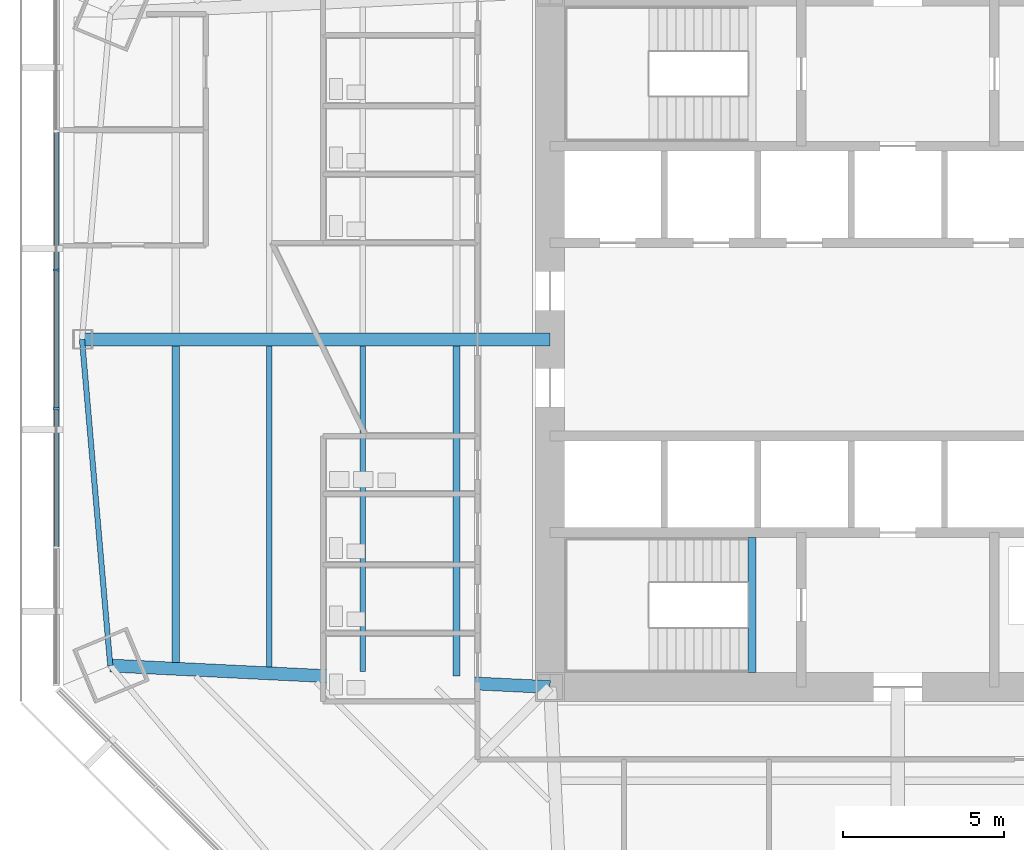
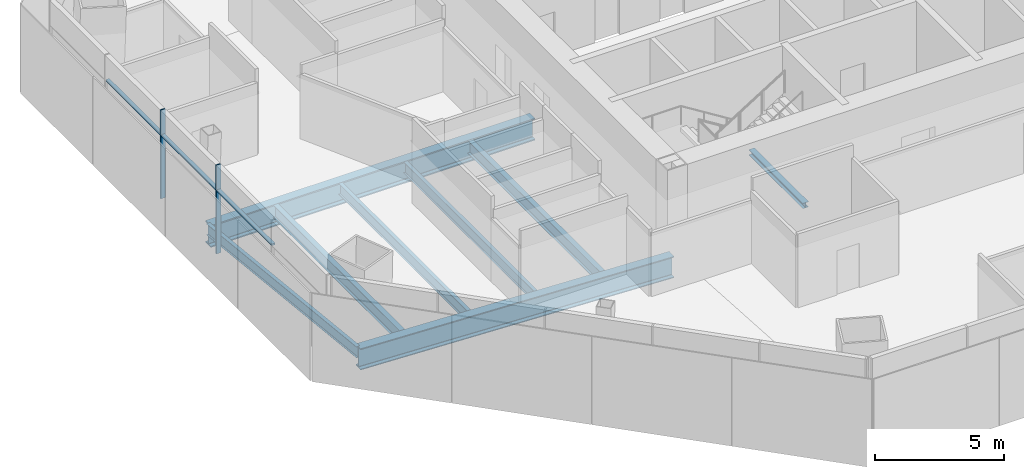
# One storey, part 3 of 15: 8 beams, 5 members, 1 element without a shape of its own.
"""IFC4 building model written with IfcOpenShell, lengths in metres."""

from ifc_helpers import new_model, si_unit, direction, frame, origin, origin_2d, place, context, subcontext, project, spatial, rectangle, i_section, extrude, source, transform, mapped, material, material_profile, profile_set, type_object, type_shapes, element, aggregate, save


model = new_model("IFC4")

# Units and contexts
model_context = context("Model", 3, precision=1e-05, world=origin(), true_north=direction((0.0, 1.0)))
body_context = subcontext(model_context, "Body", "Model", "MODEL_VIEW")
ifc_project = project(units=[si_unit("LENGTHUNIT", "METRE"), si_unit("AREAUNIT", "SQUARE_METRE"), si_unit("VOLUMEUNIT", "CUBIC_METRE"), si_unit("PLANEANGLEUNIT", "RADIAN"), si_unit("MASSUNIT", "GRAM", prefix="KILO")], contexts=[model_context])

# Site, building, storey
site_placement = place(None, origin())
site = spatial("IfcSite", under=ifc_project, at=site_placement, CompositionType="ELEMENT")
building_placement = place(site_placement, origin())
building = spatial("IfcBuilding", under=site, at=building_placement, Name="Mashrafa Tower", CompositionType="ELEMENT")
storey_placement = place(building_placement, frame((0.0, 0.0, 66.60009765625)))
storey = spatial("IfcBuildingStorey", under=building, at=storey_placement, Name="L14", CompositionType="ELEMENT", Elevation=66.60009765625)

# Beams
ifc_material_1 = material(Name="Steel ASTM A992", Category="steel")
ifc_material_profile_1 = material_profile(ifc_material_1, i_section(OverallWidth=0.165771484375, OverallDepth=0.5283203125, WebThickness=0.009765625, FlangeThickness=0.013671875, FilletRadius=0.012939453125, at=origin_2d()), Name="W21X50")
ifc_profile_set_1 = profile_set([ifc_material_profile_1], Name="Steel ASTM A992")
beam_type_1 = type_object("IfcBeamType", Name="Beam W21X50", PredefinedType="BEAM", material=ifc_profile_set_1)
beam_1_placement = place(storey_placement, frame((-19.521240234375, -10.171630859375, -0.42919921875), z_axis=(0.0, 1.0, 0.0), x_axis=(-1.0, 0.0, 0.0)))
element("IfcBeam", 1, at=beam_1_placement, inside=storey, type_object=beam_type_1, Name="Floor beam L14 004", PredefinedType="BEAM", context=body_context, shape_type="SweptSolid", body=[
    extrude(i_section(OverallWidth=0.165771484375, OverallDepth=0.5283203125, WebThickness=0.009765625, FlangeThickness=0.013671875, FilletRadius=0.012939453125, at=origin_2d()), origin(), (0.0, 0.0, 1.0), 9.967041015625),
])
beam_2_placement = place(storey_placement, frame((-16.6142578125, -10.314208984375, -0.42919921875), z_axis=(0.0, 1.0, 0.0), x_axis=(-1.0, 0.0, 0.0)))
element("IfcBeam", 2, at=beam_2_placement, inside=storey, type_object=beam_type_1, Name="Floor beam L14 007", PredefinedType="BEAM", context=body_context, shape_type="SweptSolid", body=[
    extrude(i_section(OverallWidth=0.165771484375, OverallDepth=0.5283203125, WebThickness=0.009765625, FlangeThickness=0.013671875, FilletRadius=0.012939453125, at=origin_2d()), origin(), (0.0, 0.0, 1.0), 10.109619140625),
])
beam_3_placement = place(storey_placement, frame((-25.33544921875, 0.0, -0.42919921875), z_axis=(0.08636127718, -0.996263885627, 0.0), x_axis=(0.996263885627, 0.08636127718, 0.0)))
element("IfcBeam", 3, at=beam_3_placement, inside=storey, type_object=beam_type_1, Name="Spandrel beam L14 073", PredefinedType="BEAM", context=body_context, shape_type="SweptSolid", body=[
    extrude(i_section(OverallWidth=0.165771484375, OverallDepth=0.5283203125, WebThickness=0.009765625, FlangeThickness=0.013671875, FilletRadius=0.012939453125, at=origin_2d()), origin(), (0.0, 0.0, 1.0), 10.168701171875),
])
ifc_material_2 = material(Name="Steel ASTM A992", Category="steel")
ifc_material_profile_2 = material_profile(ifc_material_2, i_section(OverallWidth=0.227783203125, OverallDepth=0.60205078125, WebThickness=0.010498046875, FlangeThickness=0.014892578125, FilletRadius=0.012939453125, at=origin_2d()), Name="W24X68")
ifc_profile_set_2 = profile_set([ifc_material_profile_2], Name="Steel ASTM A992")
beam_type_2 = type_object("IfcBeamType", Name="Beam W24X68", PredefinedType="BEAM", material=ifc_profile_set_2)
beam_4_placement = place(storey_placement, frame((-22.42822265625, -10.029052734375, -0.466064453125), z_axis=(0.0, 1.0, 0.0), x_axis=(-1.0, 0.0, 0.0)))
element("IfcBeam", 4, at=beam_4_placement, inside=storey, type_object=beam_type_2, Name="Floor beam L14 001", PredefinedType="BEAM", context=body_context, shape_type="SweptSolid", body=[
    extrude(i_section(OverallWidth=0.227783203125, OverallDepth=0.60205078125, WebThickness=0.010498046875, FlangeThickness=0.014892578125, FilletRadius=0.012939453125, at=origin_2d()), origin(), (0.0, 0.0, 1.0), 9.824462890625),
])
beam_5_placement = place(storey_placement, frame((-13.70703125, -10.45654296875, -0.466064453125), z_axis=(0.0, 1.0, 0.0), x_axis=(-1.0, 0.0, 0.0)))
element("IfcBeam", 5, at=beam_5_placement, inside=storey, type_object=beam_type_2, Name="Floor beam L14 014", PredefinedType="BEAM", context=body_context, shape_type="SweptSolid", body=[
    extrude(i_section(OverallWidth=0.227783203125, OverallDepth=0.60205078125, WebThickness=0.010498046875, FlangeThickness=0.014892578125, FilletRadius=0.012939453125, at=origin_2d()), origin(), (0.0, 0.0, 1.0), 10.251953125),
])
ifc_material_3 = material(Name="Steel ASTM A992", Category="steel")
ifc_material_profile_3 = material_profile(ifc_material_3, i_section(OverallWidth=0.4013671875, OverallDepth=1.010986328125, WebThickness=0.023681640625, FlangeThickness=0.0419921875, FilletRadius=0.02001953125, at=origin_2d()), Name="W40X297")
ifc_profile_set_3 = profile_set([ifc_material_profile_3], Name="Steel ASTM A992")
beam_type_3 = type_object("IfcBeamType", Name="Beam W40X297", PredefinedType="BEAM", material=ifc_profile_set_3)
beam_6_placement = place(storey_placement, frame((-10.800048828125, -10.800048828125, -0.670654296875), z_axis=(-0.998800836919, 0.048958024577, 0.0), x_axis=(-0.048958024577, -0.998800836919, 0.0)))
element("IfcBeam", 6, at=beam_6_placement, inside=storey, type_object=beam_type_3, Name="Radial girder L14 057", PredefinedType="BEAM", context=body_context, shape_type="SweptSolid", body=[
    extrude(i_section(OverallWidth=0.4013671875, OverallDepth=1.010986328125, WebThickness=0.023681640625, FlangeThickness=0.0419921875, FilletRadius=0.02001953125, at=origin_2d()), origin(), (0.0, 0.0, 1.0), 13.673583984375),
])
ifc_material_4 = material(Name="Steel ASTM A992", Category="steel")
ifc_material_profile_4 = material_profile(ifc_material_4, i_section(OverallWidth=0.408935546875, OverallDepth=1.04150390625, WebThickness=0.031005859375, FlangeThickness=0.055908203125, FilletRadius=0.020263671875, at=origin_2d()), Name="W40X397")
ifc_profile_set_4 = profile_set([ifc_material_profile_4], Name="Steel ASTM A992")
beam_type_4 = type_object("IfcBeamType", Name="Beam W40X397", PredefinedType="BEAM", material=ifc_profile_set_4)
beam_7_placement = place(storey_placement, frame((-10.800048828125, 0.0, -0.685791015625), z_axis=(-1.0, 0.0, 0.0), x_axis=(0.0, -1.0, 0.0)))
element("IfcBeam", 7, at=beam_7_placement, inside=storey, type_object=beam_type_4, Name="Radial girder L14 060", PredefinedType="BEAM", context=body_context, shape_type="SweptSolid", body=[
    extrude(i_section(OverallWidth=0.408935546875, OverallDepth=1.04150390625, WebThickness=0.031005859375, FlangeThickness=0.055908203125, FilletRadius=0.020263671875, at=origin_2d()), origin(), (0.0, 0.0, 1.0), 14.535400390625),
])
ifc_material_5 = material(Name="Steel ASTM A992", Category="steel")
ifc_material_profile_5 = material_profile(ifc_material_5, i_section(OverallWidth=0.25390625, OverallDepth=0.25390625, WebThickness=0.008544921875, FlangeThickness=0.01416015625, FilletRadius=0.010009765625, at=origin_2d()), Name="W10X49")
ifc_profile_set_5 = profile_set([ifc_material_profile_5], Name="Steel ASTM A992")
beam_type_5 = type_object("IfcBeamType", Name="Hoistway beam W10X49", PredefinedType="BEAM", material=ifc_profile_set_5)
beam_8_placement = place(storey_placement, frame((-4.530029296875, -10.35009765625, -0.3271484375), z_axis=(0.0, 1.0, 0.0), x_axis=(-1.0, 0.0, 0.0)))
element("IfcBeam", 8, at=beam_8_placement, inside=storey, type_object=beam_type_5, Name="Stair S3 landing beam L14", PredefinedType="BEAM", context=body_context, shape_type="SweptSolid", body=[
    extrude(i_section(OverallWidth=0.25390625, OverallDepth=0.25390625, WebThickness=0.008544921875, FlangeThickness=0.01416015625, FilletRadius=0.010009765625, at=origin_2d()), origin(), (0.0, 0.0, 1.0), 4.2001953125),
])

# Curtain wall, members
ifc_material_6 = material(Name="Unitised aluminium curtain wall", Category="aluminium")
curtain_wall_type = type_object("IfcCurtainWallType", Name="Office curtain wall, zone 1 CW-A 200 deep", PredefinedType="NOTDEFINED", material=ifc_material_6)
curtain_wall_placement = place(storey_placement, origin())
curtain_wall = element("IfcCurtainWall", 9, at=curtain_wall_placement, inside=storey, type_object=curtain_wall_type, Name="Office curtain wall, zone 1 L14 west", PredefinedType="NOTDEFINED")
ifc_material_7 = material(Name="Extruded aluminium mullion", Category="aluminium")
ifc_material_profile_6 = material_profile(ifc_material_7, rectangle(XDim=0.199951171875, YDim=0.06494140625, at=origin_2d()), Name="Mullion 65x200")
ifc_profile_set_6 = profile_set([ifc_material_profile_6], Name="Extruded aluminium mullion")
member_type_1 = type_object("IfcMemberType", Name="Mullion CW-A 65 x 200", PredefinedType="MULLION", material=ifc_profile_set_6)
shared_shape_1 = source(origin(), body_context, "Body", "SweptSolid", [
    extrude(rectangle(XDim=0.199951171875, YDim=0.06494140625, at=origin_2d()), origin(), (0.0, 0.0, 1.0), 4.199951171875),
])
type_shapes(member_type_1, [shared_shape_1])
member_1_placement = place(storey_placement, frame((-26.130615234375, 2.154541015625, 0.0), z_axis=(0.0, 0.0, 1.0), x_axis=(1.0, 0.0, 0.0)))
member_1 = element("IfcMember", 10, at=member_1_placement, type_object=member_type_1, Name="CW-A mullion 3", PredefinedType="MULLION", context=body_context, shape_type="MappedRepresentation", body=[
    mapped(shared_shape_1, transform((0.0, 0.0, 0.0))),
])
member_2_placement = place(storey_placement, frame((-26.130615234375, -2.154541015625, 0.0), z_axis=(0.0, 0.0, 1.0), x_axis=(1.0, 0.0, 0.0)))
member_2 = element("IfcMember", 11, at=member_2_placement, type_object=member_type_1, Name="CW-A mullion 4", PredefinedType="MULLION", context=body_context, shape_type="MappedRepresentation", body=[
    mapped(shared_shape_1, transform((0.0, 0.0, 0.0))),
])
ifc_material_8 = material(Name="Extruded aluminium transom", Category="aluminium")
ifc_material_profile_7 = material_profile(ifc_material_8, rectangle(XDim=0.159912109375, YDim=0.080078125, at=origin_2d()), Name="Transom 80x160")
ifc_profile_set_7 = profile_set([ifc_material_profile_7], Name="Extruded aluminium transom")
member_type_2 = type_object("IfcMemberType", Name="Transom CW-A 80 x 160", PredefinedType="MULLION", material=ifc_profile_set_7)
shared_shape_2 = source(origin(), body_context, "Body", "SweptSolid", [
    extrude(rectangle(XDim=0.159912109375, YDim=0.080078125, at=origin_2d()), origin(), (0.0, 0.0, 1.0), 4.243896484375),
])
member_3_placement = place(storey_placement, frame((-26.130615234375, 6.430908203125, 3.0), z_axis=(0.0, -1.0, 0.0), x_axis=(1.0, 0.0, 0.0)))
member_3 = element("IfcMember", 12, at=member_3_placement, type_object=member_type_2, Name="CW-A transom 2", PredefinedType="MULLION", context=body_context, shape_type="MappedRepresentation", body=[
    mapped(shared_shape_2, transform((0.0, 0.0, 0.0))),
])
member_4_placement = place(storey_placement, frame((-26.130615234375, -2.18701171875, 3.0), z_axis=(0.0, -1.0, 0.0), x_axis=(1.0, 0.0, 0.0)))
member_4 = element("IfcMember", 13, at=member_4_placement, type_object=member_type_2, Name="CW-A transom 4", PredefinedType="MULLION", context=body_context, shape_type="MappedRepresentation", body=[
    mapped(shared_shape_2, transform((0.0, 0.0, 0.0))),
])
shared_shape_3 = source(origin(), body_context, "Body", "SweptSolid", [
    extrude(rectangle(XDim=0.159912109375, YDim=0.080078125, at=origin_2d()), origin(), (0.0, 0.0, 1.0), 4.244140625),
])
type_shapes(member_type_2, [shared_shape_2, shared_shape_3])
member_5_placement = place(storey_placement, frame((-26.130615234375, 2.1220703125, 3.0), z_axis=(0.0, -1.0, 0.0), x_axis=(1.0, 0.0, 0.0)))
member_5 = element("IfcMember", 14, at=member_5_placement, type_object=member_type_2, Name="CW-A transom 3", PredefinedType="MULLION", context=body_context, shape_type="MappedRepresentation", body=[
    mapped(shared_shape_3, transform((0.0, 0.0, 0.0))),
])
aggregate(curtain_wall, [member_1, member_2, member_3, member_5, member_4])

save(model, "model.ifc")
